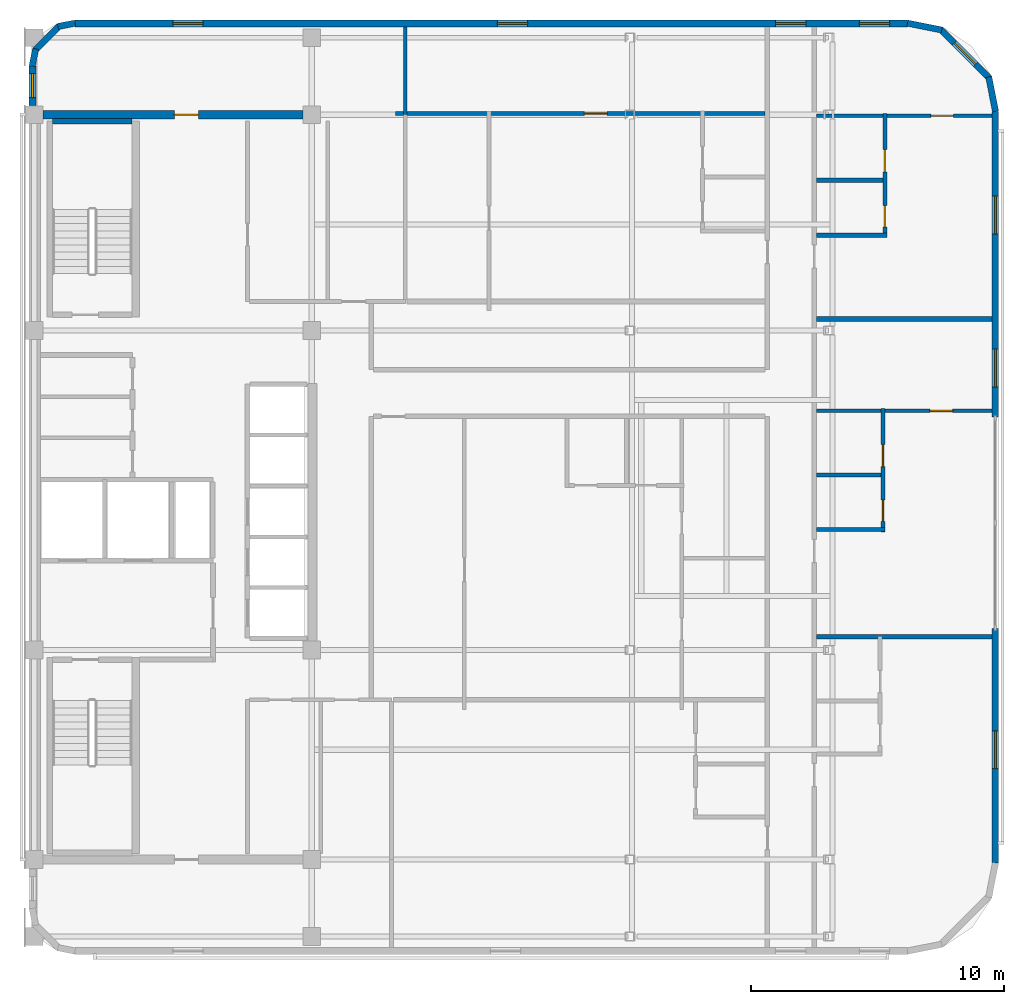
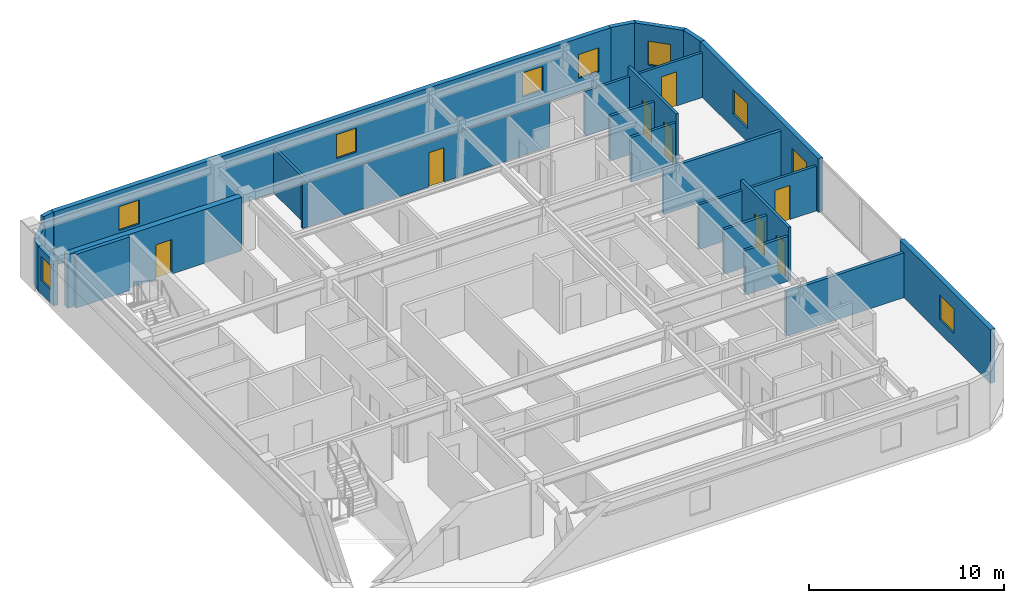
# One storey, part 6 of 10: 24 walls, 9 windows, 8 doors, 17 openings.
"""IFC4 building model written with IfcOpenShell, lengths in metres."""

from ifc_helpers import new_model, si_unit, direction, frame, frame_2d, origin, place, context, subcontext, project, spatial, rectangle, extrude, material, layer, layer_set, type_object, element, fill, save


model = new_model("IFC4")

# Units and contexts
model_context = context("Model", 3, precision=1e-05, world=origin(), true_north=direction((0.0, 1.0)))
body_context = subcontext(model_context, "Body", "Model", "MODEL_VIEW")
ifc_project = project(units=[si_unit("LENGTHUNIT", "METRE"), si_unit("AREAUNIT", "SQUARE_METRE"), si_unit("VOLUMEUNIT", "CUBIC_METRE"), si_unit("PLANEANGLEUNIT", "RADIAN"), si_unit("MASSUNIT", "GRAM", prefix="KILO")], contexts=[model_context])

# Site, building, storey
site_placement = place(None, origin())
site = spatial("IfcSite", under=ifc_project, at=site_placement, CompositionType="ELEMENT")
building_placement = place(site_placement, origin())
building = spatial("IfcBuilding", under=site, at=building_placement, Name="Ochreholt Gables", CompositionType="ELEMENT")
storey_placement = place(building_placement, frame((0.0, 0.0, 223.800048828125)))
storey = spatial("IfcBuildingStorey", under=building, at=storey_placement, Name="L58", CompositionType="ELEMENT", Elevation=223.800048828125)

# Wall, opening, door
ifc_material_1 = material(Name="Concrete 50 MPa", Category="concrete")
ifc_layer_1 = layer(ifc_material_1, 0.35009765625, Name="Concrete 50 MPa")
ifc_layer_set_1 = layer_set([ifc_layer_1], Name="Concrete 50 MPa")
wall_type_1 = type_object("IfcWallType", Name="WALL-CSW-350", PredefinedType="SHEAR", material=ifc_layer_set_1)
wall_1_placement = place(storey_placement, frame((24.550048828125, 38.75, 0.0), z_axis=(0.0, 0.0, 1.0), x_axis=(1.0, 0.0, 0.0)))
wall_1 = element("IfcWall", 1, at=wall_1_placement, inside=storey, type_object=wall_type_1, Name="L58 Core North Shear Wall", PredefinedType="SHEAR", context=body_context, shape_type="SweptSolid", body=[
    extrude(rectangle(XDim=10.300048828125, YDim=0.35009765625, at=frame_2d((5.14990234375, 0.0))), origin(), (0.0, 0.0, 1.0), 3.35986328125),
])
opening_1_placement = place(wall_1_placement, frame((5.199951171875, 0.0, 0.0)))
opening_1 = element("IfcOpeningElement", 2, at=opening_1_placement, cuts=wall_1, Name="Opening D-FL2", PredefinedType="OPENING", context=body_context, shape_type="SweptSolid", body=[
    extrude(rectangle(XDim=0.949951171875, YDim=2.14990234375, at=frame_2d((0.47509765625, 1.074951171875))), frame((0.0, 0.18505859375, 0.0), z_axis=(0.0, -1.0, 0.0), x_axis=(1.0, 0.0, 0.0)), (0.0, 0.0, 1.0), 0.3701171875),
])
ifc_material_2 = material(Name="Hollow Metal Steel", Category="steel")
door_type_1 = type_object("IfcDoorType", Name="DR-INT-FLB950", OperationType="NOTDEFINED", PredefinedType="DOOR", material=ifc_material_2)
door_1_placement = place(opening_1_placement, origin())
door_1 = element("IfcDoor", 3, at=door_1_placement, inside=storey, type_object=door_type_1, Name="L58 Door D-C3NSR-L58", OperationType="SINGLE_SWING_RIGHT", OverallHeight=2.14990234375, OverallWidth=0.949951171875, PredefinedType="DOOR", context=body_context, shape_type="SweptSolid", body=[
    extrude(rectangle(XDim=0.949951171875, YDim=2.14990234375, at=frame_2d((0.47509765625, 1.074951171875))), frame((0.0, 0.02490234375, 0.0), z_axis=(0.0, -1.0, 0.0), x_axis=(1.0, 0.0, 0.0)), (0.0, 0.0, 1.0), 0.050048828125),
])
fill(opening_1, door_1)

# Wall, opening, window
ifc_material_3 = material(Name="Precast concrete 40 MPa", Category="concrete")
ifc_layer_2 = layer(ifc_material_3, 0.27001953125, Name="Precast concrete 40 MPa")
ifc_layer_set_2 = layer_set([ifc_layer_2], Name="Precast concrete 40 MPa")
wall_type_2 = type_object("IfcWallType", Name="WALL-EXT-270", PredefinedType="SOLIDWALL", material=ifc_layer_set_2)
wall_2_placement = place(storey_placement, frame((62.264892578125, 9.1201171875, 0.0), z_axis=(0.0, 0.0, 1.0), x_axis=(0.0, 1.0, 0.0)))
wall_2 = element("IfcWall", 4, at=wall_2_placement, inside=storey, type_object=wall_type_2, Name="L58 East Facade Wall 1", PredefinedType="SOLIDWALL", context=body_context, shape_type="SweptSolid", body=[
    extrude(rectangle(XDim=9.27978515625, YDim=0.27001953125, at=frame_2d((4.639892578125, 0.0))), origin(), (0.0, 0.0, 1.0), 3.35986328125),
])
opening_2_placement = place(wall_2_placement, frame((3.72998046875, 0.0, 0.85009765625)))
opening_2 = element("IfcOpeningElement", 5, at=opening_2_placement, cuts=wall_2, Name="Opening WN-2", PredefinedType="OPENING", context=body_context, shape_type="SweptSolid", body=[
    extrude(rectangle(XDim=1.5, YDim=1.550048828125, at=frame_2d((0.75, 0.77490234375))), frame((0.0, 0.14501953125, 0.0), z_axis=(0.0, -1.0, 0.0), x_axis=(1.0, 0.0, 0.0)), (0.0, 0.0, 1.0), 0.2900390625),
])
ifc_material_4 = material(Name="Triple-Glazed Thermally Broken Aluminium Window", Category="aluminium")
window_type_1 = type_object("IfcWindowType", Name="WIN-RES-1500", PartitioningType="SINGLE_PANEL", PredefinedType="WINDOW", material=ifc_material_4)
window_1_placement = place(opening_2_placement, origin())
window_1 = element("IfcWindow", 6, at=window_1_placement, inside=storey, type_object=window_type_1, Name="L58 Window W-EXT-E1-L58-1", OverallHeight=1.550048828125, OverallWidth=1.5, PartitioningType="SINGLE_PANEL", PredefinedType="WINDOW", context=body_context, shape_type="SweptSolid", body=[
    extrude(rectangle(XDim=1.5, YDim=1.550048828125, at=frame_2d((0.75, 0.77490234375))), frame((0.0, 0.030029296875, 0.0), z_axis=(0.0, -1.0, 0.0), x_axis=(1.0, 0.0, 0.0)), (0.0, 0.0, 1.0), 0.06005859375),
])
fill(opening_2, window_1)

# Wall, openings, windows
wall_3_placement = place(storey_placement, frame((62.264892578125, 26.77001953125, 0.0), z_axis=(0.0, 0.0, 1.0), x_axis=(0.0, 1.0, 0.0)))
wall_3 = element("IfcWall", 7, at=wall_3_placement, inside=storey, type_object=wall_type_2, Name="L58 East Facade Wall 2", PredefinedType="SOLIDWALL", context=body_context, shape_type="SweptSolid", body=[
    extrude(rectangle(XDim=12.10986328125, YDim=0.27001953125, at=frame_2d((6.054931640625, 0.0))), origin(), (0.0, 0.0, 1.0), 3.35986328125),
])
opening_3_placement = place(wall_3_placement, frame((1.195068359375, 0.0, 0.85009765625)))
opening_3 = element("IfcOpeningElement", 8, at=opening_3_placement, cuts=wall_3, Name="Opening WN-2", PredefinedType="OPENING", context=body_context, shape_type="SweptSolid", body=[
    extrude(rectangle(XDim=1.5, YDim=1.550048828125, at=frame_2d((0.75, 0.77490234375))), frame((0.0, 0.14501953125, 0.0), z_axis=(0.0, -1.0, 0.0), x_axis=(1.0, 0.0, 0.0)), (0.0, 0.0, 1.0), 0.2900390625),
])
opening_4_placement = place(wall_3_placement, frame((7.25, 0.0, 0.85009765625)))
opening_4 = element("IfcOpeningElement", 9, at=opening_4_placement, cuts=wall_3, Name="Opening WN-2", PredefinedType="OPENING", context=body_context, shape_type="SweptSolid", body=[
    extrude(rectangle(XDim=1.5, YDim=1.550048828125, at=frame_2d((0.75, 0.77490234375))), frame((0.0, 0.14501953125, 0.0), z_axis=(0.0, -1.0, 0.0), x_axis=(1.0, 0.0, 0.0)), (0.0, 0.0, 1.0), 0.2900390625),
])
window_2_placement = place(opening_3_placement, origin())
window_2 = element("IfcWindow", 10, at=window_2_placement, inside=storey, type_object=window_type_1, Name="L58 Window W-EXT-E2-L58-1", OverallHeight=1.550048828125, OverallWidth=1.5, PartitioningType="SINGLE_PANEL", PredefinedType="WINDOW", context=body_context, shape_type="SweptSolid", body=[
    extrude(rectangle(XDim=1.5, YDim=1.550048828125, at=frame_2d((0.75, 0.77490234375))), frame((0.0, 0.030029296875, 0.0), z_axis=(0.0, -1.0, 0.0), x_axis=(1.0, 0.0, 0.0)), (0.0, 0.0, 1.0), 0.06005859375),
])
fill(opening_3, window_2)
window_3_placement = place(opening_4_placement, origin())
window_3 = element("IfcWindow", 11, at=window_3_placement, inside=storey, type_object=window_type_1, Name="L58 Window W-EXT-E2-L58-2", OverallHeight=1.550048828125, OverallWidth=1.5, PartitioningType="SINGLE_PANEL", PredefinedType="WINDOW", context=body_context, shape_type="SweptSolid", body=[
    extrude(rectangle(XDim=1.5, YDim=1.550048828125, at=frame_2d((0.75, 0.77490234375))), frame((0.0, 0.030029296875, 0.0), z_axis=(0.0, -1.0, 0.0), x_axis=(1.0, 0.0, 0.0)), (0.0, 0.0, 1.0), 0.06005859375),
])
fill(opening_4, window_3)

wall_4_placement = place(storey_placement, frame((58.780029296875, 42.364990234375, 0.0), z_axis=(0.0, 0.0, 1.0), x_axis=(-1.0, 0.0, 0.0)))
wall_4 = element("IfcWall", 12, at=wall_4_placement, inside=storey, type_object=wall_type_2, Name="L58 North Exterior Wall", PredefinedType="SOLIDWALL", context=body_context, shape_type="SweptSolid", body=[
    extrude(rectangle(XDim=32.9599609375, YDim=0.27001953125, at=frame_2d((16.47998046875, 0.0))), origin(), (0.0, 0.0, 1.0), 3.35986328125),
])
opening_5_placement = place(wall_4_placement, frame((27.889892578125, 0.0, 0.85009765625)))
opening_5 = element("IfcOpeningElement", 13, at=opening_5_placement, cuts=wall_4, Name="Opening WN-3", PredefinedType="OPENING", context=body_context, shape_type="SweptSolid", body=[
    extrude(rectangle(XDim=1.199951171875, YDim=1.5, at=frame_2d((0.60009765625, 0.75))), frame((0.0, 0.14501953125, 0.0), z_axis=(0.0, -1.0, 0.0), x_axis=(1.0, 0.0, 0.0)), (0.0, 0.0, 1.0), 0.2900390625),
])
opening_6_placement = place(wall_4_placement, frame((15.033935546875, 0.0, 0.85009765625)))
opening_6 = element("IfcOpeningElement", 14, at=opening_6_placement, cuts=wall_4, Name="Opening WN-3", PredefinedType="OPENING", context=body_context, shape_type="SweptSolid", body=[
    extrude(rectangle(XDim=1.199951171875, YDim=1.5, at=frame_2d((0.60009765625, 0.75))), frame((0.0, 0.14501953125, 0.0), z_axis=(0.0, -1.0, 0.0), x_axis=(1.0, 0.0, 0.0)), (0.0, 0.0, 1.0), 0.2900390625),
])
opening_7_placement = place(wall_4_placement, frame((4.013427734375, 0.0, 0.85009765625)))
opening_7 = element("IfcOpeningElement", 15, at=opening_7_placement, cuts=wall_4, Name="Opening WN-3", PredefinedType="OPENING", context=body_context, shape_type="SweptSolid", body=[
    extrude(rectangle(XDim=1.199951171875, YDim=1.5, at=frame_2d((0.60009765625, 0.75))), frame((0.0, 0.14501953125, 0.0), z_axis=(0.0, -1.0, 0.0), x_axis=(1.0, 0.0, 0.0)), (0.0, 0.0, 1.0), 0.2900390625),
])
opening_8_placement = place(wall_4_placement, frame((0.69921875, 0.0, 0.85009765625)))
opening_8 = element("IfcOpeningElement", 16, at=opening_8_placement, cuts=wall_4, Name="Opening WN-3", PredefinedType="OPENING", context=body_context, shape_type="SweptSolid", body=[
    extrude(rectangle(XDim=1.199951171875, YDim=1.5, at=frame_2d((0.60009765625, 0.75))), frame((0.0, 0.14501953125, 0.0), z_axis=(0.0, -1.0, 0.0), x_axis=(1.0, 0.0, 0.0)), (0.0, 0.0, 1.0), 0.2900390625),
])
window_type_2 = type_object("IfcWindowType", Name="WIN-RES-1200", PartitioningType="SINGLE_PANEL", PredefinedType="WINDOW", material=ifc_material_4)
window_4_placement = place(opening_5_placement, origin())
window_4 = element("IfcWindow", 17, at=window_4_placement, inside=storey, type_object=window_type_2, Name="L58 Window W-EXT-N-L58-1", OverallHeight=1.5, OverallWidth=1.199951171875, PartitioningType="SINGLE_PANEL", PredefinedType="WINDOW", context=body_context, shape_type="SweptSolid", body=[
    extrude(rectangle(XDim=1.199951171875, YDim=1.5, at=frame_2d((0.60009765625, 0.75))), frame((0.0, 0.030029296875, 0.0), z_axis=(0.0, -1.0, 0.0), x_axis=(1.0, 0.0, 0.0)), (0.0, 0.0, 1.0), 0.06005859375),
])
fill(opening_5, window_4)
window_5_placement = place(opening_6_placement, origin())
window_5 = element("IfcWindow", 18, at=window_5_placement, inside=storey, type_object=window_type_2, Name="L58 Window W-EXT-N-L58-2", OverallHeight=1.5, OverallWidth=1.199951171875, PartitioningType="SINGLE_PANEL", PredefinedType="WINDOW", context=body_context, shape_type="SweptSolid", body=[
    extrude(rectangle(XDim=1.199951171875, YDim=1.5, at=frame_2d((0.60009765625, 0.75))), frame((0.0, 0.030029296875, 0.0), z_axis=(0.0, -1.0, 0.0), x_axis=(1.0, 0.0, 0.0)), (0.0, 0.0, 1.0), 0.06005859375),
])
fill(opening_6, window_5)
window_6_placement = place(opening_7_placement, origin())
window_6 = element("IfcWindow", 19, at=window_6_placement, inside=storey, type_object=window_type_2, Name="L58 Window W-EXT-N-L58-3", OverallHeight=1.5, OverallWidth=1.199951171875, PartitioningType="SINGLE_PANEL", PredefinedType="WINDOW", context=body_context, shape_type="SweptSolid", body=[
    extrude(rectangle(XDim=1.199951171875, YDim=1.5, at=frame_2d((0.60009765625, 0.75))), frame((0.0, 0.030029296875, 0.0), z_axis=(0.0, -1.0, 0.0), x_axis=(1.0, 0.0, 0.0)), (0.0, 0.0, 1.0), 0.06005859375),
])
fill(opening_7, window_6)
window_7_placement = place(opening_8_placement, origin())
window_7 = element("IfcWindow", 20, at=window_7_placement, inside=storey, type_object=window_type_2, Name="L58 Window W-EXT-N-L58-4", OverallHeight=1.5, OverallWidth=1.199951171875, PartitioningType="SINGLE_PANEL", PredefinedType="WINDOW", context=body_context, shape_type="SweptSolid", body=[
    extrude(rectangle(XDim=1.199951171875, YDim=1.5, at=frame_2d((0.60009765625, 0.75))), frame((0.0, 0.030029296875, 0.0), z_axis=(0.0, -1.0, 0.0), x_axis=(1.0, 0.0, 0.0)), (0.0, 0.0, 1.0), 0.06005859375),
])
fill(opening_8, window_7)

# Wall, opening, window
wall_5_placement = place(storey_placement, frame((24.135009765625, 39.1201171875, 0.0), z_axis=(0.0, 0.0, 1.0), x_axis=(0.0, 1.0, 0.0)))
wall_5 = element("IfcWall", 21, at=wall_5_placement, inside=storey, type_object=wall_type_2, Name="L58 West Facade North Bay Wall", PredefinedType="SOLIDWALL", context=body_context, shape_type="SweptSolid", body=[
    extrude(rectangle(XDim=1.559814453125, YDim=0.27001953125, at=frame_2d((0.77978515625, 0.0))), origin(), (0.0, 0.0, 1.0), 2.802978515625),
])
opening_9_placement = place(wall_5_placement, frame((0.304931640625, 0.0, 0.85009765625)))
opening_9 = element("IfcOpeningElement", 22, at=opening_9_placement, cuts=wall_5, Name="Opening WN-10", PredefinedType="OPENING", context=body_context, shape_type="SweptSolid", body=[
    extrude(rectangle(XDim=0.949951171875, YDim=1.5, at=frame_2d((0.47509765625, 0.75))), frame((0.0, 0.14501953125, 0.0), z_axis=(0.0, -1.0, 0.0), x_axis=(1.0, 0.0, 0.0)), (0.0, 0.0, 1.0), 0.2900390625),
])
window_type_3 = type_object("IfcWindowType", Name="WIN-RES-950", PartitioningType="SINGLE_PANEL", PredefinedType="WINDOW", material=ifc_material_4)
window_8_placement = place(opening_9_placement, origin())
window_8 = element("IfcWindow", 23, at=window_8_placement, inside=storey, type_object=window_type_3, Name="L58 North Sky Reading West Window", OverallHeight=1.5, OverallWidth=0.949951171875, PartitioningType="SINGLE_PANEL", PredefinedType="WINDOW", context=body_context, shape_type="SweptSolid", body=[
    extrude(rectangle(XDim=0.949951171875, YDim=1.5, at=frame_2d((0.47509765625, 0.75))), frame((0.0, 0.030029296875, 0.0), z_axis=(0.0, -1.0, 0.0), x_axis=(1.0, 0.0, 0.0)), (0.0, 0.0, 1.0), 0.06005859375),
])
fill(opening_9, window_8)

# Wall
ifc_layer_3 = layer(ifc_material_3, 0.25, Name="Precast concrete 40 MPa")
ifc_layer_set_3 = layer_set([ifc_layer_3], Name="Precast concrete 40 MPa")
wall_type_3 = type_object("IfcWallType", Name="WALL-EXT-CNR", PredefinedType="SOLIDWALL", material=ifc_layer_set_3)
wall_6_placement = place(storey_placement, frame((62.27587890625, 38.883544921875, 0.0), z_axis=(0.0, 0.0, 1.0), x_axis=(-0.195135625965, 0.9807762678, 0.0)))
element("IfcWall", 24, at=wall_6_placement, inside=storey, type_object=wall_type_3, Name="L58 Rounded Corner Wall NE-1", PredefinedType="SOLIDWALL", context=body_context, shape_type="SweptSolid", body=[
    extrude(rectangle(XDim=1.388671875, YDim=0.25, at=frame_2d((0.6943359375, 0.0))), origin(), (0.0, 0.0, 1.0), 3.35986328125),
])

# Wall, opening, window
wall_7_placement = place(storey_placement, frame((62.031982421875, 40.195068359375, 0.0), z_axis=(0.0, 0.0, 1.0), x_axis=(-0.707106781187, 0.707106781187, 0.0)))
wall_7 = element("IfcWall", 25, at=wall_7_placement, inside=storey, type_object=wall_type_3, Name="L58 Rounded Corner Wall NE-2", PredefinedType="SOLIDWALL", context=body_context, shape_type="SweptSolid", body=[
    extrude(rectangle(XDim=2.7392578125, YDim=0.25, at=frame_2d((1.36962890625, 0.0))), origin(), (0.0, 0.0, 1.0), 3.35986328125),
])
opening_10_placement = place(wall_7_placement, frame((0.769775390625, 0.0, 0.85009765625)))
opening_10 = element("IfcOpeningElement", 26, at=opening_10_placement, cuts=wall_7, Name="Opening WN-3", PredefinedType="OPENING", context=body_context, shape_type="SweptSolid", body=[
    extrude(rectangle(XDim=1.199951171875, YDim=1.5, at=frame_2d((0.60009765625, 0.75))), frame((0.0, 0.135009765625, 0.0), z_axis=(0.0, -1.0, 0.0), x_axis=(1.0, 0.0, 0.0)), (0.0, 0.0, 1.0), 0.27001953125),
])
window_9_placement = place(opening_10_placement, origin())
window_9 = element("IfcWindow", 27, at=window_9_placement, inside=storey, type_object=window_type_2, Name="L58 Corner Bedroom Window NE", OverallHeight=1.5, OverallWidth=1.199951171875, PartitioningType="SINGLE_PANEL", PredefinedType="WINDOW", context=body_context, shape_type="SweptSolid", body=[
    extrude(rectangle(XDim=1.199951171875, YDim=1.5, at=frame_2d((0.60009765625, 0.75))), frame((0.0, 0.030029296875, 0.0), z_axis=(0.0, -1.0, 0.0), x_axis=(1.0, 0.0, 0.0)), (0.0, 0.0, 1.0), 0.06005859375),
])
fill(opening_10, window_9)

# Walls
wall_8_placement = place(storey_placement, frame((60.1455078125, 42.10498046875, 0.0), z_axis=(0.0, 0.0, 1.0), x_axis=(-0.980809899341, 0.19496651342, 0.0)))
element("IfcWall", 28, at=wall_8_placement, inside=storey, type_object=wall_type_3, Name="L58 Rounded Corner Wall NE-3", PredefinedType="SOLIDWALL", context=body_context, shape_type="SweptSolid", body=[
    extrude(rectangle(XDim=1.388671875, YDim=0.25, at=frame_2d((0.6943359375, 0.0))), origin(), (0.0, 0.0, 1.0), 3.35986328125),
])
wall_9_placement = place(storey_placement, frame((25.81640625, 42.375732421875, 0.0), z_axis=(0.0, 0.0, 1.0), x_axis=(-0.980812594069, -0.194952956674, 0.0)))
element("IfcWall", 29, at=wall_9_placement, inside=storey, type_object=wall_type_3, Name="L58 Rounded Corner Wall NW-1", PredefinedType="SOLIDWALL", context=body_context, shape_type="SweptSolid", body=[
    extrude(rectangle(XDim=0.686279296875, YDim=0.25, at=frame_2d((0.34326171875, 0.0))), origin(), (0.0, 0.0, 1.0), 3.35986328125),
])
wall_10_placement = place(storey_placement, frame((25.19384765625, 42.26904296875, 0.0), z_axis=(0.0, 0.0, 1.0), x_axis=(-0.707106781187, -0.707106781187, 0.0)))
element("IfcWall", 30, at=wall_10_placement, inside=storey, type_object=wall_type_3, Name="L58 Rounded Corner Wall NW-2", PredefinedType="SOLIDWALL", context=body_context, shape_type="SweptSolid", body=[
    extrude(rectangle(XDim=1.36181640625, YDim=0.25, at=frame_2d((0.680908203125, 0.0))), origin(), (0.0, 0.0, 1.0), 2.802978515625),
])
wall_11_placement = place(storey_placement, frame((24.258056640625, 41.356689453125, 0.0), z_axis=(0.0, 0.0, 1.0), x_axis=(-0.194952956674, -0.980812594069, 0.0)))
element("IfcWall", 31, at=wall_11_placement, inside=storey, type_object=wall_type_3, Name="L58 Rounded Corner Wall NW-3", PredefinedType="SOLIDWALL", context=body_context, shape_type="SweptSolid", body=[
    extrude(rectangle(XDim=0.686279296875, YDim=0.25, at=frame_2d((0.34326171875, 0.0))), origin(), (0.0, 0.0, 1.0), 2.802978515625),
])
ifc_material_5 = material(Name="Double-Stud Acoustic Demising Wall", Category="gypsum")
ifc_layer_4 = layer(ifc_material_5, 0.18505859375, Name="Double-Stud Acoustic Demising Wall")
ifc_layer_set_4 = layer_set([ifc_layer_4], Name="Double-Stud Acoustic Demising Wall")
wall_type_4 = type_object("IfcWallType", Name="WALL-INT-DM185", PredefinedType="PARTITIONING", material=ifc_layer_set_4)
for number, where, z_axis, x_axis, name in (
    (32, (55.181640625, 18.080078125, 0.0), (0.0, 0.0, 1.0), (1.0, 0.0, 0.0), "L58 Interior Wall WI-C3UDE2-L58"),
    (33, (55.181640625, 30.659912109375, 0.0), (0.0, 0.0, 1.0), (1.0, 0.0, 0.0), "L58 Interior Wall WI-C3UDE3-L58"),
):
    element("IfcWall", number, at=place(storey_placement, frame(where, z_axis=z_axis, x_axis=x_axis)), inside=storey, type_object=wall_type_4, Name=name, PredefinedType="PARTITIONING", context=body_context, shape_type="SweptSolid", body=[
        extrude(rectangle(XDim=6.9482421875, YDim=0.18505859375, at=frame_2d((3.47412109375, 0.0))), origin(), (0.0, 0.0, 1.0), 2.802978515625),
    ])
ifc_material_6 = material(Name="Moisture-Resistant Plumbing Chase Wall", Category="gypsum")
ifc_layer_5 = layer(ifc_material_6, 0.159912109375, Name="Moisture-Resistant Plumbing Chase Wall")
ifc_layer_set_5 = layer_set([ifc_layer_5], Name="Moisture-Resistant Plumbing Chase Wall")
wall_type_5 = type_object("IfcWallType", Name="WALL-INT-PL160", PredefinedType="PLUMBINGWALL", material=ifc_layer_set_5)
wall_12_placement = place(storey_placement, frame((55.181640625, 22.31298828125, 0.0), z_axis=(0.0, 0.0, 1.0), x_axis=(1.0, 0.0, 0.0)))
element("IfcWall", 34, at=wall_12_placement, inside=storey, type_object=wall_type_5, Name="L58 Interior Wall WU-L58E2-FYS", PredefinedType="PLUMBINGWALL", context=body_context, shape_type="SweptSolid", body=[
    extrude(rectangle(XDim=2.7119140625, YDim=0.159912109375, at=frame_2d((1.35595703125, 0.0))), origin(), (0.0, 0.0, 1.0), 2.802978515625),
])

# Wall, openings, doors
wall_13_placement = place(storey_placement, frame((57.813720703125, 22.222900390625, 0.0), z_axis=(0.0, 0.0, 1.0), x_axis=(0.0, 1.0, 0.0)))
wall_13 = element("IfcWall", 35, at=wall_13_placement, inside=storey, type_object=wall_type_5, Name="L58 Interior Wall WU-L58E2-WX", PredefinedType="PLUMBINGWALL", context=body_context, shape_type="SweptSolid", body=[
    extrude(rectangle(XDim=4.88720703125, YDim=0.159912109375, at=frame_2d((2.443603515625, 0.0))), origin(), (0.0, 0.0, 1.0), 3.35986328125),
])
opening_11_placement = place(wall_13_placement, frame((0.419921875, 0.0, 0.0)))
opening_11 = element("IfcOpeningElement", 36, at=opening_11_placement, cuts=wall_13, Name="Opening D-BT2", PredefinedType="OPENING", context=body_context, shape_type="SweptSolid", body=[
    extrude(rectangle(XDim=0.840087890625, YDim=2.1201171875, at=frame_2d((0.419921875, 1.06005859375))), frame((0.0, 0.08984375, 0.0), z_axis=(0.0, -1.0, 0.0), x_axis=(1.0, 0.0, 0.0)), (0.0, 0.0, 1.0), 0.179931640625),
])
opening_12_placement = place(wall_13_placement, frame((2.585205078125, 0.0, 0.0)))
opening_12 = element("IfcOpeningElement", 37, at=opening_12_placement, cuts=wall_13, Name="Opening D-GN2", PredefinedType="OPENING", context=body_context, shape_type="SweptSolid", body=[
    extrude(rectangle(XDim=0.8798828125, YDim=2.1201171875, at=frame_2d((0.43994140625, 1.06005859375))), frame((0.0, 0.08984375, 0.0), z_axis=(0.0, -1.0, 0.0), x_axis=(1.0, 0.0, 0.0)), (0.0, 0.0, 1.0), 0.179931640625),
])
ifc_material_7 = material(Name="Engineered Oak Timber", Category="wood")
door_type_2 = type_object("IfcDoorType", Name="DR-INT-BTH840", OperationType="NOTDEFINED", PredefinedType="DOOR", material=ifc_material_7)
door_2_placement = place(opening_11_placement, origin())
door_2 = element("IfcDoor", 38, at=door_2_placement, inside=storey, type_object=door_type_2, Name="L58 Door D-U-L58E2-BTH", OperationType="SINGLE_SWING_RIGHT", OverallHeight=2.1201171875, OverallWidth=0.840087890625, PredefinedType="DOOR", context=body_context, shape_type="SweptSolid", body=[
    extrude(rectangle(XDim=0.840087890625, YDim=2.1201171875, at=frame_2d((0.419921875, 1.06005859375))), frame((0.0, 0.02490234375, 0.0), z_axis=(0.0, -1.0, 0.0), x_axis=(1.0, 0.0, 0.0)), (0.0, 0.0, 1.0), 0.050048828125),
])
fill(opening_11, door_2)
door_type_3 = type_object("IfcDoorType", Name="DR-INT-GEN880", OperationType="NOTDEFINED", PredefinedType="DOOR", material=ifc_material_7)
door_3_placement = place(opening_12_placement, origin())
door_3 = element("IfcDoor", 39, at=door_3_placement, inside=storey, type_object=door_type_3, Name="L58 Door D-U-L58E2-KIT", OperationType="SINGLE_SWING_LEFT", OverallHeight=2.1201171875, OverallWidth=0.8798828125, PredefinedType="DOOR", context=body_context, shape_type="SweptSolid", body=[
    extrude(rectangle(XDim=0.8798828125, YDim=2.1201171875, at=frame_2d((0.43994140625, 1.06005859375))), frame((0.0, 0.02490234375, 0.0), z_axis=(0.0, -1.0, 0.0), x_axis=(1.0, 0.0, 0.0)), (0.0, 0.0, 1.0), 0.050048828125),
])
fill(opening_12, door_3)

# Walls
wall_14_placement = place(storey_placement, frame((55.181640625, 24.478271484375, 0.0), z_axis=(0.0, 0.0, 1.0), x_axis=(1.0, 0.0, 0.0)))
element("IfcWall", 40, at=wall_14_placement, inside=storey, type_object=wall_type_5, Name="L58 Interior Wall WU-L58E2-WK", PredefinedType="PLUMBINGWALL", context=body_context, shape_type="SweptSolid", body=[
    extrude(rectangle(XDim=2.552001953125, YDim=0.159912109375, at=frame_2d((1.27587890625, 0.0))), origin(), (0.0, 0.0, 1.0), 2.802978515625),
])
wall_15_placement = place(storey_placement, frame((55.181640625, 33.974609375, 0.0), z_axis=(0.0, 0.0, 1.0), x_axis=(1.0, 0.0, 0.0)))
element("IfcWall", 41, at=wall_15_placement, inside=storey, type_object=wall_type_5, Name="L58 Interior Wall WU-L58E3-FYS", PredefinedType="PLUMBINGWALL", context=body_context, shape_type="SweptSolid", body=[
    extrude(rectangle(XDim=2.787841796875, YDim=0.159912109375, at=frame_2d((1.39404296875, 0.0))), origin(), (0.0, 0.0, 1.0), 2.802978515625),
])

# Wall, openings, doors
wall_16_placement = place(storey_placement, frame((57.8896484375, 33.884521484375, 0.0), z_axis=(0.0, 0.0, 1.0), x_axis=(0.0, 1.0, 0.0)))
wall_16 = element("IfcWall", 42, at=wall_16_placement, inside=storey, type_object=wall_type_5, Name="L58 Interior Wall WU-L58E3-WX", PredefinedType="PLUMBINGWALL", context=body_context, shape_type="SweptSolid", body=[
    extrude(rectangle(XDim=4.91552734375, YDim=0.159912109375, at=frame_2d((2.457763671875, 0.0))), origin(), (0.0, 0.0, 1.0), 3.35986328125),
])
opening_13_placement = place(wall_16_placement, frame((0.419921875, 0.0, 0.0)))
opening_13 = element("IfcOpeningElement", 43, at=opening_13_placement, cuts=wall_16, Name="Opening D-BT2", PredefinedType="OPENING", context=body_context, shape_type="SweptSolid", body=[
    extrude(rectangle(XDim=0.840087890625, YDim=2.1201171875, at=frame_2d((0.419921875, 1.06005859375))), frame((0.0, 0.08984375, 0.0), z_axis=(0.0, -1.0, 0.0), x_axis=(1.0, 0.0, 0.0)), (0.0, 0.0, 1.0), 0.179931640625),
])
opening_14_placement = place(wall_16_placement, frame((2.598388671875, 0.0, 0.0)))
opening_14 = element("IfcOpeningElement", 44, at=opening_14_placement, cuts=wall_16, Name="Opening D-GN2", PredefinedType="OPENING", context=body_context, shape_type="SweptSolid", body=[
    extrude(rectangle(XDim=0.8798828125, YDim=2.1201171875, at=frame_2d((0.43994140625, 1.06005859375))), frame((0.0, 0.08984375, 0.0), z_axis=(0.0, -1.0, 0.0), x_axis=(1.0, 0.0, 0.0)), (0.0, 0.0, 1.0), 0.179931640625),
])
door_4_placement = place(opening_13_placement, origin())
door_4 = element("IfcDoor", 45, at=door_4_placement, inside=storey, type_object=door_type_2, Name="L58 Door D-U-L58E3-BTH", OperationType="SINGLE_SWING_LEFT", OverallHeight=2.1201171875, OverallWidth=0.840087890625, PredefinedType="DOOR", context=body_context, shape_type="SweptSolid", body=[
    extrude(rectangle(XDim=0.840087890625, YDim=2.1201171875, at=frame_2d((0.419921875, 1.06005859375))), frame((0.0, 0.02490234375, 0.0), z_axis=(0.0, -1.0, 0.0), x_axis=(1.0, 0.0, 0.0)), (0.0, 0.0, 1.0), 0.050048828125),
])
fill(opening_13, door_4)
door_5_placement = place(opening_14_placement, origin())
door_5 = element("IfcDoor", 46, at=door_5_placement, inside=storey, type_object=door_type_3, Name="L58 Door D-U-L58E3-KIT", OperationType="SINGLE_SWING_RIGHT", OverallHeight=2.1201171875, OverallWidth=0.8798828125, PredefinedType="DOOR", context=body_context, shape_type="SweptSolid", body=[
    extrude(rectangle(XDim=0.8798828125, YDim=2.1201171875, at=frame_2d((0.43994140625, 1.06005859375))), frame((0.0, 0.02490234375, 0.0), z_axis=(0.0, -1.0, 0.0), x_axis=(1.0, 0.0, 0.0)), (0.0, 0.0, 1.0), 0.050048828125),
])
fill(opening_14, door_5)

# Wall
wall_17_placement = place(storey_placement, frame((55.181640625, 36.15283203125, 0.0), z_axis=(0.0, 0.0, 1.0), x_axis=(1.0, 0.0, 0.0)))
element("IfcWall", 47, at=wall_17_placement, inside=storey, type_object=wall_type_5, Name="L58 Interior Wall WU-L58E3-WK", PredefinedType="PLUMBINGWALL", context=body_context, shape_type="SweptSolid", body=[
    extrude(rectangle(XDim=2.6279296875, YDim=0.159912109375, at=frame_2d((1.31396484375, 0.0))), origin(), (0.0, 0.0, 1.0), 2.802978515625),
])

# Wall, opening, door
ifc_material_8 = material(Name="Lightweight Stud Partition", Category="gypsum")
ifc_layer_6 = layer(ifc_material_8, 0.14501953125, Name="Lightweight Stud Partition")
ifc_layer_set_6 = layer_set([ifc_layer_6], Name="Lightweight Stud Partition")
wall_type_6 = type_object("IfcWallType", Name="WALL-INT-PT145", PredefinedType="PARTITIONING", material=ifc_layer_set_6)
wall_18_placement = place(storey_placement, frame((55.181640625, 27.02001953125, 0.0), z_axis=(0.0, 0.0, 1.0), x_axis=(1.0, 0.0, 0.0)))
wall_18 = element("IfcWall", 48, at=wall_18_placement, inside=storey, type_object=wall_type_6, Name="L58 Interior Wall WU-L58E2-MN", PredefinedType="PARTITIONING", context=body_context, shape_type="SweptSolid", body=[
    extrude(rectangle(XDim=6.9482421875, YDim=0.14501953125, at=frame_2d((3.47412109375, 0.0))), origin(), (0.0, 0.0, 1.0), 2.802978515625),
])
opening_15_placement = place(wall_18_placement, frame((4.490234375, 0.0, 0.0)))
opening_15 = element("IfcOpeningElement", 49, at=opening_15_placement, cuts=wall_18, Name="Opening D-BD1", PredefinedType="OPENING", context=body_context, shape_type="SweptSolid", body=[
    extrude(rectangle(XDim=0.89990234375, YDim=2.139892578125, at=frame_2d((0.449951171875, 1.06982421875))), frame((0.0, 0.08251953125, 0.0), z_axis=(0.0, -1.0, 0.0), x_axis=(1.0, 0.0, 0.0)), (0.0, 0.0, 1.0), 0.1650390625),
])
door_type_4 = type_object("IfcDoorType", Name="DR-INT-BED900", OperationType="NOTDEFINED", PredefinedType="DOOR", material=ifc_material_7)
door_6_placement = place(opening_15_placement, origin())
door_6 = element("IfcDoor", 50, at=door_6_placement, inside=storey, type_object=door_type_4, Name="L58 Door D-U-L58E2-BD1", OperationType="SINGLE_SWING_RIGHT", OverallHeight=2.139892578125, OverallWidth=0.89990234375, PredefinedType="DOOR", context=body_context, shape_type="SweptSolid", body=[
    extrude(rectangle(XDim=0.89990234375, YDim=2.139892578125, at=frame_2d((0.449951171875, 1.06982421875))), frame((0.0, 0.02490234375, 0.0), z_axis=(0.0, -1.0, 0.0), x_axis=(1.0, 0.0, 0.0)), (0.0, 0.0, 1.0), 0.050048828125),
])
fill(opening_15, door_6)

wall_19_placement = place(storey_placement, frame((55.181640625, 38.7099609375, 0.0), z_axis=(0.0, 0.0, 1.0), x_axis=(1.0, 0.0, 0.0)))
wall_19 = element("IfcWall", 51, at=wall_19_placement, inside=storey, type_object=wall_type_6, Name="L58 Interior Wall WU-L58E3-MN", PredefinedType="PARTITIONING", context=body_context, shape_type="SweptSolid", body=[
    extrude(rectangle(XDim=6.9482421875, YDim=0.14501953125, at=frame_2d((3.47412109375, 0.0))), origin(), (0.0, 0.0, 1.0), 2.802978515625),
])
opening_16_placement = place(wall_19_placement, frame((4.5283203125, 0.0, 0.0)))
opening_16 = element("IfcOpeningElement", 52, at=opening_16_placement, cuts=wall_19, Name="Opening D-BD1", PredefinedType="OPENING", context=body_context, shape_type="SweptSolid", body=[
    extrude(rectangle(XDim=0.89990234375, YDim=2.139892578125, at=frame_2d((0.449951171875, 1.06982421875))), frame((0.0, 0.08251953125, 0.0), z_axis=(0.0, -1.0, 0.0), x_axis=(1.0, 0.0, 0.0)), (0.0, 0.0, 1.0), 0.1650390625),
])
door_7_placement = place(opening_16_placement, origin())
door_7 = element("IfcDoor", 53, at=door_7_placement, inside=storey, type_object=door_type_4, Name="L58 Door D-U-L58E3-BD1", OperationType="SINGLE_SWING_LEFT", OverallHeight=2.139892578125, OverallWidth=0.89990234375, PredefinedType="DOOR", context=body_context, shape_type="SweptSolid", body=[
    extrude(rectangle(XDim=0.89990234375, YDim=2.139892578125, at=frame_2d((0.449951171875, 1.06982421875))), frame((0.0, 0.02490234375, 0.0), z_axis=(0.0, -1.0, 0.0), x_axis=(1.0, 0.0, 0.0)), (0.0, 0.0, 1.0), 0.050048828125),
])
fill(opening_16, door_7)

# Wall
wall_20_placement = place(storey_placement, frame((38.89990234375, 38.75, 0.0), z_axis=(0.0, 0.0, 1.0), x_axis=(0.0, 1.0, 0.0)))
element("IfcWall", 54, at=wall_20_placement, inside=storey, type_object=wall_type_6, Name="L58 Interior Wall WI-C3NMW-L58", PredefinedType="PARTITIONING", context=body_context, shape_type="SweptSolid", body=[
    extrude(rectangle(XDim=3.47998046875, YDim=0.14501953125, at=frame_2d((1.739990234375, 0.0))), origin(), (0.0, 0.0, 1.0), 2.802978515625),
])

# Wall, opening, door
wall_21_placement = place(storey_placement, frame((38.510009765625, 38.800048828125, 0.0), z_axis=(0.0, 0.0, 1.0), x_axis=(1.0, 0.0, 0.0)))
wall_21 = element("IfcWall", 55, at=wall_21_placement, inside=storey, type_object=wall_type_6, Name="L58 Interior Wall WU-L58NM2-MN", PredefinedType="PARTITIONING", context=body_context, shape_type="SweptSolid", body=[
    extrude(rectangle(XDim=14.6416015625, YDim=0.14501953125, at=frame_2d((7.32080078125, 0.0))), origin(), (0.0, 0.0, 1.0), 2.802978515625),
])
opening_17_placement = place(wall_21_placement, frame((7.481689453125, 0.0, 0.0)))
opening_17 = element("IfcOpeningElement", 56, at=opening_17_placement, cuts=wall_21, Name="Opening D-BD1", PredefinedType="OPENING", context=body_context, shape_type="SweptSolid", body=[
    extrude(rectangle(XDim=0.89990234375, YDim=2.139892578125, at=frame_2d((0.449951171875, 1.06982421875))), frame((0.0, 0.08251953125, 0.0), z_axis=(0.0, -1.0, 0.0), x_axis=(1.0, 0.0, 0.0)), (0.0, 0.0, 1.0), 0.1650390625),
])
door_8_placement = place(opening_17_placement, origin())
door_8 = element("IfcDoor", 57, at=door_8_placement, inside=storey, type_object=door_type_4, Name="L58 Door D-U-L58NM2-BD1", OperationType="SINGLE_SWING_LEFT", OverallHeight=2.139892578125, OverallWidth=0.89990234375, PredefinedType="DOOR", context=body_context, shape_type="SweptSolid", body=[
    extrude(rectangle(XDim=0.89990234375, YDim=2.139892578125, at=frame_2d((0.449951171875, 1.06982421875))), frame((0.0, 0.02490234375, 0.0), z_axis=(0.0, -1.0, 0.0), x_axis=(1.0, 0.0, 0.0)), (0.0, 0.0, 1.0), 0.050048828125),
])
fill(opening_17, door_8)

# Wall
ifc_layer_7 = layer(ifc_material_1, 0.219970703125, Name="Concrete 50 MPa")
ifc_layer_set_7 = layer_set([ifc_layer_7], Name="Concrete 50 MPa")
wall_type_7 = type_object("IfcWallType", Name="WALL-STW-220", PredefinedType="SHEAR", material=ifc_layer_set_7)
wall_22_placement = place(storey_placement, frame((24.919921875, 38.489990234375, 0.0), z_axis=(0.0, 0.0, 1.0), x_axis=(1.0, 0.0, 0.0)))
element("IfcWall", 58, at=wall_22_placement, inside=storey, type_object=wall_type_7, Name="L58 Exit Stair 2 North Wall", PredefinedType="SHEAR", context=body_context, shape_type="SweptSolid", body=[
    extrude(rectangle(XDim=3.16015625, YDim=0.219970703125, at=frame_2d((1.580078125, 0.0))), origin(), (0.0, 0.0, 1.0), 3.35986328125),
])

save(model, "model.ifc")
